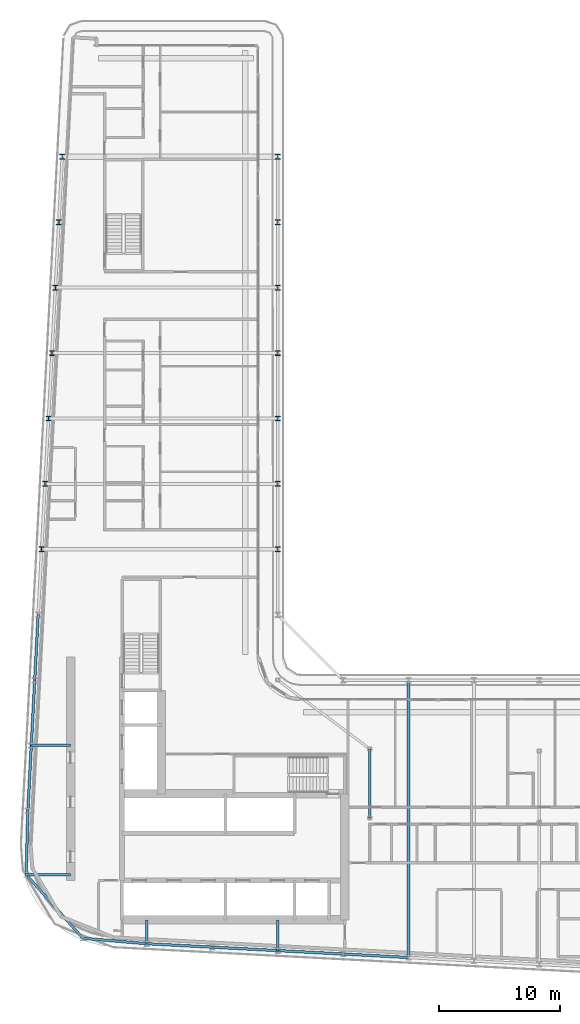
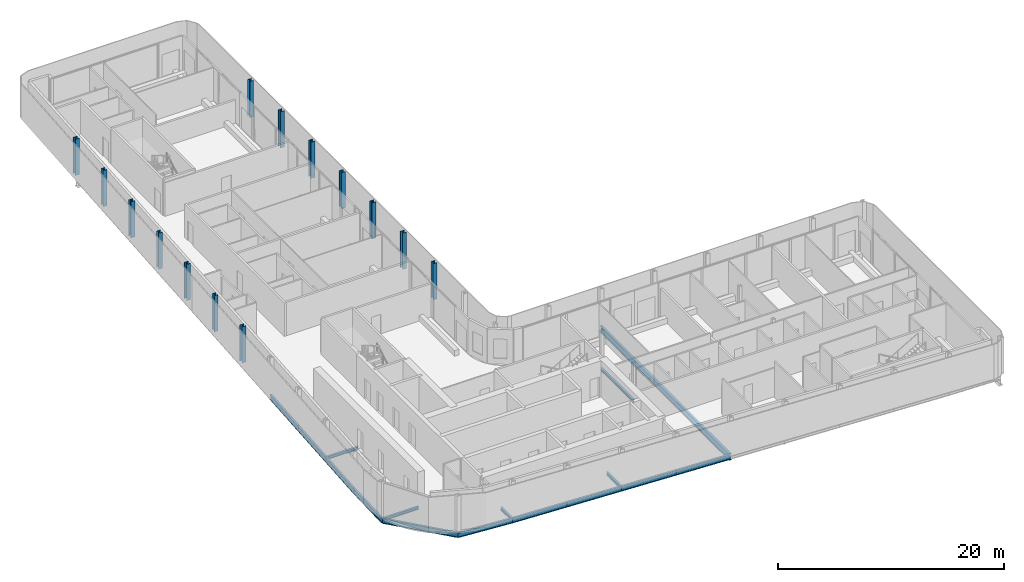
# One storey, part 3 of 23: 16 beams, 14 columns.
"""IFC4 building model written with IfcOpenShell, lengths in metres."""

from ifc_helpers import new_model, si_unit, direction, frame, origin, origin_2d, place, context, subcontext, project, spatial, i_section, extrude, material, material_profile, profile_set, type_object, element, save


model = new_model("IFC4")

# Units and contexts
model_context = context("Model", 3, precision=1e-05, world=origin(), true_north=direction((0.0, 1.0)))
body_context = subcontext(model_context, "Body", "Model", "MODEL_VIEW")
ifc_project = project(units=[si_unit("LENGTHUNIT", "METRE"), si_unit("AREAUNIT", "SQUARE_METRE"), si_unit("VOLUMEUNIT", "CUBIC_METRE"), si_unit("PLANEANGLEUNIT", "RADIAN"), si_unit("MASSUNIT", "GRAM", prefix="KILO")], contexts=[model_context])

# Site, building, storey
site_placement = place(None, origin())
site = spatial("IfcSite", under=ifc_project, at=site_placement, CompositionType="ELEMENT")
building_placement = place(site_placement, origin())
building = spatial("IfcBuilding", under=site, at=building_placement, Name="Kheshtan School and Residences Tower", CompositionType="ELEMENT")
storey_placement = place(building_placement, frame((0.0, 0.0, 247.39990234375)))
storey = spatial("IfcBuildingStorey", under=building, at=storey_placement, Name="L58", CompositionType="ELEMENT", Elevation=247.39990234375)

# Columns
ifc_material = material(Name="Steel ASTM A992 Grade 50", Category="steel")
ifc_material_profile_1 = material_profile(ifc_material, i_section(OverallWidth=0.404052734375, OverallDepth=0.406982421875, WebThickness=0.027099609375, FlangeThickness=0.043701171875, FilletRadius=0.01220703125, at=origin_2d()), Name="W360x347")
ifc_profile_set_1 = profile_set([ifc_material_profile_1], Name="Steel ASTM A992 Grade 50")
column_type = type_object("IfcColumnType", Name="Column C4 W360x347 ASTM A992 Grade 50", PredefinedType="COLUMN", material=ifc_profile_set_1)
for number, where, z_axis, x_axis, name in (
    (1, (28.10595703125, 56.39990234375, 0.0), (0.0, 0.0, 1.0), (1.0, 0.0, 0.0), "Column C080"),
    (2, (47.60009765625, 56.39990234375, 0.0), (0.0, 0.0, 1.0), (1.0, 0.0, 0.0), "Column C081"),
    (3, (28.389892578125, 61.800048828125, 0.0), (0.0, 0.0, 1.0), (1.0, 0.0, 0.0), "Column C082"),
    (4, (47.60009765625, 61.800048828125, 0.0), (0.0, 0.0, 1.0), (1.0, 0.0, 0.0), "Column C083"),
    (5, (28.674072265625, 67.199951171875, 0.0), (0.0, 0.0, 1.0), (1.0, 0.0, 0.0), "Column C084"),
    (6, (47.60009765625, 67.199951171875, 0.0), (0.0, 0.0, 1.0), (1.0, 0.0, 0.0), "Column C085"),
    (7, (28.9580078125, 72.60009765625, 0.0), (0.0, 0.0, 1.0), (1.0, 0.0, 0.0), "Column C086"),
    (8, (47.60009765625, 72.60009765625, 0.0), (0.0, 0.0, 1.0), (1.0, 0.0, 0.0), "Column C087"),
    (9, (29.242919921875, 78.0, 0.0), (0.0, 0.0, 1.0), (1.0, 0.0, 0.0), "Column C088"),
    (10, (47.60009765625, 78.0, 0.0), (0.0, 0.0, 1.0), (1.0, 0.0, 0.0), "Column C089"),
    (11, (29.527099609375, 83.39990234375, 0.0), (0.0, 0.0, 1.0), (1.0, 0.0, 0.0), "Column C090"),
    (12, (47.60009765625, 83.39990234375, 0.0), (0.0, 0.0, 1.0), (1.0, 0.0, 0.0), "Column C091"),
    (13, (29.81103515625, 88.800048828125, 0.0), (0.0, 0.0, 1.0), (1.0, 0.0, 0.0), "Column C098"),
    (14, (47.60009765625, 88.800048828125, 0.0), (0.0, 0.0, 1.0), (1.0, 0.0, 0.0), "Column C099"),
):
    element("IfcColumn", number, at=place(storey_placement, frame(where, z_axis=z_axis, x_axis=x_axis)), inside=storey, type_object=column_type, Name=name, PredefinedType="COLUMN", context=body_context, shape_type="SweptSolid", body=[
        extrude(i_section(OverallWidth=0.404052734375, OverallDepth=0.406982421875, WebThickness=0.027099609375, FlangeThickness=0.043701171875, FilletRadius=0.01220703125, at=origin_2d()), origin(), (0.0, 0.0, 1.0), 3.900146484375),
    ])

# Beams
ifc_material_profile_2 = material_profile(ifc_material, i_section(OverallWidth=0.202880859375, OverallDepth=0.302978515625, WebThickness=0.007568359375, FlangeThickness=0.01318359375, FilletRadius=0.009033203125, at=origin_2d()), Name="W310x60")
ifc_profile_set_2 = profile_set([ifc_material_profile_2], Name="Steel ASTM A992 Grade 50")
beam_type_1 = type_object("IfcBeamType", Name="Beam FB1 W310x60 ASTM A992 Grade 50", PredefinedType="BEAM", material=ifc_profile_set_2)
beam_1_placement = place(storey_placement, frame((47.60009765625, 23.263916015625, -0.301513671875), z_axis=(0.0, 1.0, 0.0), x_axis=(-1.0, 0.0, 0.0)))
element("IfcBeam", 15, at=beam_1_placement, inside=storey, type_object=beam_type_1, Name="Floor beam C020", PredefinedType="BEAM", context=body_context, shape_type="SweptSolid", body=[
    extrude(i_section(OverallWidth=0.202880859375, OverallDepth=0.302978515625, WebThickness=0.007568359375, FlangeThickness=0.01318359375, FilletRadius=0.009033203125, at=origin_2d()), origin(), (0.0, 0.0, 1.0), 2.5361328125),
])
beam_2_placement = place(storey_placement, frame((36.800048828125, 23.83203125, -0.301513671875), z_axis=(0.0, 1.0, 0.0), x_axis=(-1.0, 0.0, 0.0)))
element("IfcBeam", 16, at=beam_2_placement, inside=storey, type_object=beam_type_1, Name="Floor beam C022", PredefinedType="BEAM", context=body_context, shape_type="SweptSolid", body=[
    extrude(i_section(OverallWidth=0.202880859375, OverallDepth=0.302978515625, WebThickness=0.007568359375, FlangeThickness=0.01318359375, FilletRadius=0.009033203125, at=origin_2d()), origin(), (0.0, 0.0, 1.0), 1.968017578125),
])
beam_3_placement = place(storey_placement, frame((26.830078125, 29.5380859375, -0.301513671875), z_axis=(1.0, 0.0, 0.0), x_axis=(0.0, 1.0, 0.0)))
element("IfcBeam", 17, at=beam_3_placement, inside=storey, type_object=beam_type_1, Name="Floor beam C043", PredefinedType="BEAM", context=body_context, shape_type="SweptSolid", body=[
    extrude(i_section(OverallWidth=0.202880859375, OverallDepth=0.302978515625, WebThickness=0.007568359375, FlangeThickness=0.01318359375, FilletRadius=0.009033203125, at=origin_2d()), origin(), (0.0, 0.0, 1.0), 3.669921875),
])
beam_4_placement = place(storey_placement, frame((27.2529296875, 40.199951171875, -0.301513671875), z_axis=(1.0, 0.0, 0.0), x_axis=(0.0, 1.0, 0.0)))
element("IfcBeam", 18, at=beam_4_placement, inside=storey, type_object=beam_type_1, Name="Floor beam C056", PredefinedType="BEAM", context=body_context, shape_type="SweptSolid", body=[
    extrude(i_section(OverallWidth=0.202880859375, OverallDepth=0.302978515625, WebThickness=0.007568359375, FlangeThickness=0.01318359375, FilletRadius=0.009033203125, at=origin_2d()), origin(), (0.0, 0.0, 1.0), 3.2470703125),
])
beam_5_placement = place(storey_placement, frame((55.199951171875, 34.23193359375, -0.301513671875), z_axis=(0.0, 1.0, 0.0), x_axis=(-1.0, 0.0, 0.0)))
element("IfcBeam", 19, at=beam_5_placement, inside=storey, type_object=beam_type_1, Name="Floor beam IC", PredefinedType="BEAM", context=body_context, shape_type="SweptSolid", body=[
    extrude(i_section(OverallWidth=0.202880859375, OverallDepth=0.302978515625, WebThickness=0.007568359375, FlangeThickness=0.01318359375, FilletRadius=0.009033203125, at=origin_2d()), origin(), (0.0, 0.0, 1.0), 5.68408203125),
])
ifc_material_profile_3 = material_profile(ifc_material, i_section(OverallWidth=0.2529296875, OverallDepth=0.677978515625, WebThickness=0.01171875, FlangeThickness=0.016357421875, FilletRadius=0.0146484375, at=origin_2d()), Name="W690x125")
ifc_profile_set_3 = profile_set([ifc_material_profile_3], Name="Steel ASTM A992 Grade 50")
beam_type_2 = type_object("IfcBeamType", Name="Beam FB6 W690x125 ASTM A992 Grade 50", PredefinedType="BEAM", material=ifc_profile_set_3)
beam_6_placement = place(storey_placement, frame((58.39990234375, 22.695068359375, -0.489013671875), z_axis=(0.0, 1.0, 0.0), x_axis=(-1.0, 0.0, 0.0)))
element("IfcBeam", 20, at=beam_6_placement, inside=storey, type_object=beam_type_2, Name="Floor beam C018", PredefinedType="BEAM", context=body_context, shape_type="SweptSolid", body=[
    extrude(i_section(OverallWidth=0.2529296875, OverallDepth=0.677978515625, WebThickness=0.01171875, FlangeThickness=0.016357421875, FilletRadius=0.0146484375, at=origin_2d()), origin(), (0.0, 0.0, 1.0), 22.905029296875),
])
ifc_material_profile_4 = material_profile(ifc_material, i_section(OverallWidth=0.208984375, OverallDepth=0.532958984375, WebThickness=0.01025390625, FlangeThickness=0.015625, FilletRadius=0.013916015625, at=origin_2d()), Name="W530x92")
ifc_profile_set_4 = profile_set([ifc_material_profile_4], Name="Steel ASTM A992 Grade 50")
beam_type_3 = type_object("IfcBeamType", Name="Beam SP3 W530x92 ASTM A992 Grade 50", PredefinedType="BEAM", material=ifc_profile_set_4)
for number, where, z_axis, x_axis, name in (
    (21, (58.39990234375, 22.695068359375, -0.41650390625), (-0.998610961136, 0.052689166816, 0.0), (-0.052689166816, -0.998610961136, 0.0), "Spandrel beam C018-C019"),
    (22, (53.0, 22.97998046875, -0.41650390625), (-0.998620447272, 0.05250906864, 0.0), (-0.05250906864, -0.998620447272, 0.0), "Spandrel beam C019-C020"),
):
    element("IfcBeam", number, at=place(storey_placement, frame(where, z_axis=z_axis, x_axis=x_axis)), inside=storey, type_object=beam_type_3, Name=name, PredefinedType="BEAM", context=body_context, shape_type="SweptSolid", body=[
        extrude(i_section(OverallWidth=0.208984375, OverallDepth=0.532958984375, WebThickness=0.01025390625, FlangeThickness=0.015625, FilletRadius=0.013916015625, at=origin_2d()), origin(), (0.0, 0.0, 1.0), 5.407470703125),
    ])
beam_7_placement = place(storey_placement, frame((47.60009765625, 23.263916015625, -0.41650390625), z_axis=(-0.998618203458, 0.052551724256, 0.0), x_axis=(-0.052551724256, -0.998618203458, 0.0)))
element("IfcBeam", 23, at=beam_7_placement, inside=storey, type_object=beam_type_3, Name="Spandrel beam C020-C021", PredefinedType="BEAM", context=body_context, shape_type="SweptSolid", body=[
    extrude(i_section(OverallWidth=0.208984375, OverallDepth=0.532958984375, WebThickness=0.01025390625, FlangeThickness=0.015625, FilletRadius=0.013916015625, at=origin_2d()), origin(), (0.0, 0.0, 1.0), 5.40771484375),
])
beam_8_placement = place(storey_placement, frame((42.199951171875, 23.548095703125, -0.41650390625), z_axis=(-0.998620447272, 0.05250906864, 0.0), x_axis=(-0.05250906864, -0.998620447272, 0.0)))
element("IfcBeam", 24, at=beam_8_placement, inside=storey, type_object=beam_type_3, Name="Spandrel beam C021-C022", PredefinedType="BEAM", context=body_context, shape_type="SweptSolid", body=[
    extrude(i_section(OverallWidth=0.208984375, OverallDepth=0.532958984375, WebThickness=0.01025390625, FlangeThickness=0.015625, FilletRadius=0.013916015625, at=origin_2d()), origin(), (0.0, 0.0, 1.0), 5.407470703125),
])
beam_9_placement = place(storey_placement, frame((36.800048828125, 23.83203125, -0.41650390625), z_axis=(-0.996386672761, 0.084932904956, 0.0), x_axis=(-0.084932904956, -0.996386672761, 0.0)))
element("IfcBeam", 25, at=beam_9_placement, inside=storey, type_object=beam_type_3, Name="Spandrel beam C022-C030", PredefinedType="BEAM", context=body_context, shape_type="SweptSolid", body=[
    extrude(i_section(OverallWidth=0.208984375, OverallDepth=0.532958984375, WebThickness=0.01025390625, FlangeThickness=0.015625, FilletRadius=0.013916015625, at=origin_2d()), origin(), (0.0, 0.0, 1.0), 5.309326171875),
])
beam_10_placement = place(storey_placement, frame((31.510009765625, 24.282958984375, -0.41650390625), z_axis=(-0.66505480847, 0.746794551219, 0.0), x_axis=(-0.746794551219, -0.66505480847, 0.0)))
element("IfcBeam", 26, at=beam_10_placement, inside=storey, type_object=beam_type_3, Name="Spandrel beam C030-C043", PredefinedType="BEAM", context=body_context, shape_type="SweptSolid", body=[
    extrude(i_section(OverallWidth=0.208984375, OverallDepth=0.532958984375, WebThickness=0.01025390625, FlangeThickness=0.015625, FilletRadius=0.013916015625, at=origin_2d()), origin(), (0.0, 0.0, 1.0), 7.036865234375),
])
beam_11_placement = place(storey_placement, frame((26.830078125, 29.5380859375, -0.41650390625), z_axis=(0.026390842013, 0.999651701073, 0.0), x_axis=(-0.999651701073, 0.026390842013, 0.0)))
element("IfcBeam", 27, at=beam_11_placement, inside=storey, type_object=beam_type_3, Name="Spandrel beam C043-C052", PredefinedType="BEAM", context=body_context, shape_type="SweptSolid", body=[
    extrude(i_section(OverallWidth=0.208984375, OverallDepth=0.532958984375, WebThickness=0.01025390625, FlangeThickness=0.015625, FilletRadius=0.013916015625, at=origin_2d()), origin(), (0.0, 0.0, 1.0), 5.263916015625),
])
beam_12_placement = place(storey_placement, frame((26.968994140625, 34.800048828125, -0.41650390625), z_axis=(0.05250906864, 0.998620447272, 0.0), x_axis=(-0.998620447272, 0.05250906864, 0.0)))
element("IfcBeam", 28, at=beam_12_placement, inside=storey, type_object=beam_type_3, Name="Spandrel beam C052-C056", PredefinedType="BEAM", context=body_context, shape_type="SweptSolid", body=[
    extrude(i_section(OverallWidth=0.208984375, OverallDepth=0.532958984375, WebThickness=0.01025390625, FlangeThickness=0.015625, FilletRadius=0.013916015625, at=origin_2d()), origin(), (0.0, 0.0, 1.0), 5.407470703125),
])
beam_13_placement = place(storey_placement, frame((27.2529296875, 40.199951171875, -0.41650390625), z_axis=(0.052551724256, 0.998618203458, 0.0), x_axis=(-0.998618203458, 0.052551724256, 0.0)))
element("IfcBeam", 29, at=beam_13_placement, inside=storey, type_object=beam_type_3, Name="Spandrel beam C056-C059", PredefinedType="BEAM", context=body_context, shape_type="SweptSolid", body=[
    extrude(i_section(OverallWidth=0.208984375, OverallDepth=0.532958984375, WebThickness=0.01025390625, FlangeThickness=0.015625, FilletRadius=0.013916015625, at=origin_2d()), origin(), (0.0, 0.0, 1.0), 5.40771484375),
])
beam_14_placement = place(storey_placement, frame((27.537109375, 45.60009765625, -0.41650390625), z_axis=(0.052689166816, 0.998610961136, 0.0), x_axis=(-0.998610961136, 0.052689166816, 0.0)))
element("IfcBeam", 30, at=beam_14_placement, inside=storey, type_object=beam_type_3, Name="Spandrel beam C059-C078", PredefinedType="BEAM", context=body_context, shape_type="SweptSolid", body=[
    extrude(i_section(OverallWidth=0.208984375, OverallDepth=0.532958984375, WebThickness=0.01025390625, FlangeThickness=0.015625, FilletRadius=0.013916015625, at=origin_2d()), origin(), (0.0, 0.0, 1.0), 5.407470703125),
])

save(model, "model.ifc")
